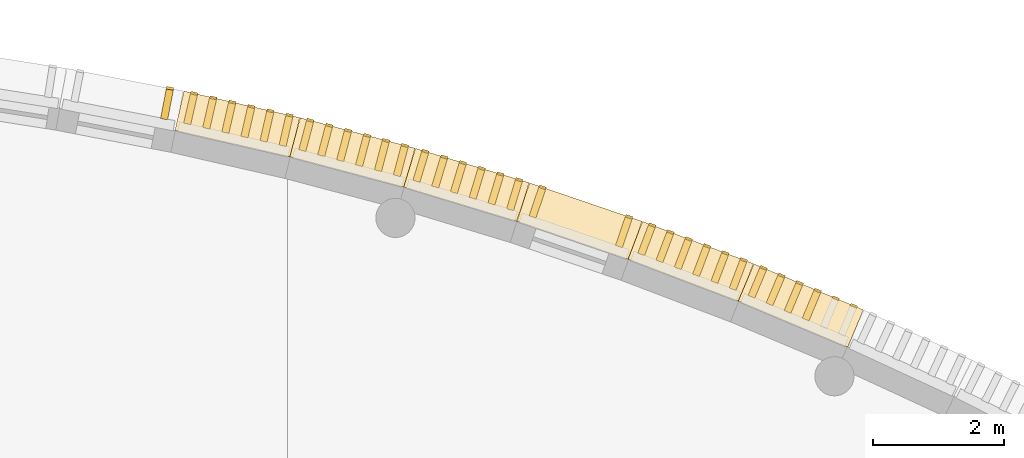
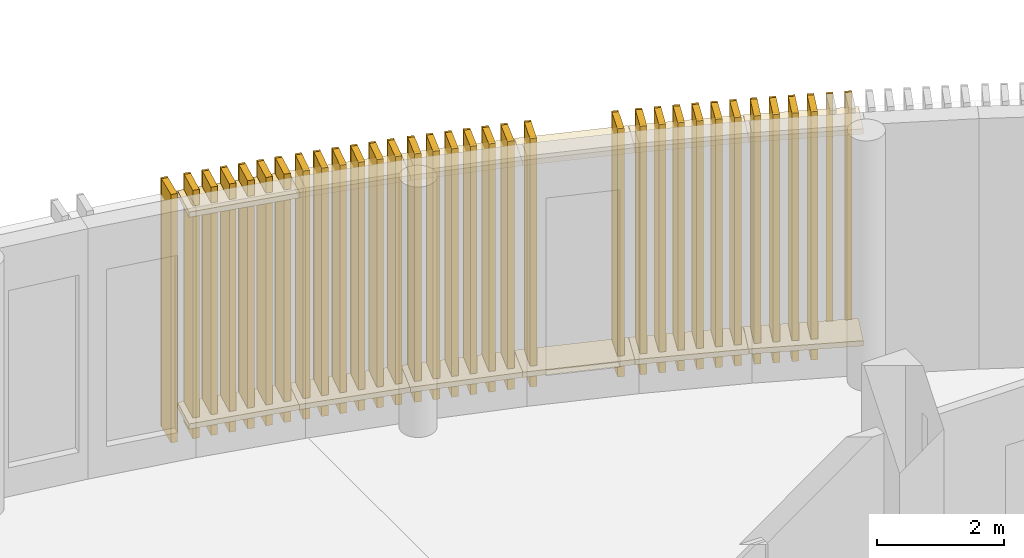
# One storey, part 79 of 82: 45 coverings, 31 shading devices.
"""IFC4 building model written with IfcOpenShell, lengths in metres."""

from ifc_helpers import new_model, si_unit, direction, frame, origin, origin_2d, place, context, subcontext, project, spatial, rectangle, extrude, material, layer, layer_set, type_object, element, save


model = new_model("IFC4")

# Units and contexts
model_context = context("Model", 3, precision=1e-05, world=origin(), true_north=direction((0.0, 1.0)))
body_context = subcontext(model_context, "Body", "Model", "MODEL_VIEW")
ifc_project = project(units=[si_unit("LENGTHUNIT", "METRE"), si_unit("AREAUNIT", "SQUARE_METRE"), si_unit("VOLUMEUNIT", "CUBIC_METRE"), si_unit("PLANEANGLEUNIT", "RADIAN"), si_unit("MASSUNIT", "GRAM", prefix="KILO")], contexts=[model_context])

# Site, building, storey
site_placement = place(None, origin())
site = spatial("IfcSite", under=ifc_project, at=site_placement, CompositionType="ELEMENT")
building_placement = place(site_placement, origin())
building = spatial("IfcBuilding", under=site, at=building_placement, Name="Sardonyx Promenade Sports Hall", CompositionType="ELEMENT")
storey_placement = place(building_placement, frame((0.0, 0.0, 11.199951171875)))
storey = spatial("IfcBuildingStorey", under=building, at=storey_placement, Name="L02", CompositionType="ELEMENT", Elevation=11.199951171875)

# Coverings
ifc_material_1 = material(Name="Glulam GL28h", Category="wood")
ifc_layer = layer(ifc_material_1, 0.110107421875)
ifc_layer_set = layer_set([ifc_layer], Name="Cov_Louvre_GL28h")
covering_type = type_object("IfcCoveringType", Name="Cov_Louvre_GL28h", PredefinedType="MOLDING", material=ifc_layer_set)
covering_placement = place(storey_placement, frame((64.67626953125, 114.89599609375, 0.02001953125), z_axis=(0.0, 0.0, 1.0), x_axis=(0.981929658139, -0.18924625879, 0.0)))
element("IfcCovering", 1, at=covering_placement, inside=storey, type_object=covering_type, Name="Timber louvre nose molding L02 CH20 #2", PredefinedType="MOLDING", context=body_context, shape_type="SweptSolid", body=[
    extrude(rectangle(XDim=0.110107421875, YDim=0.0400390625, at=origin_2d()), origin(), (0.0, 0.0, 1.0), 4.760009765625),
])
for number, where, z_axis, x_axis, name in (
    (2, (65.70751953125, 114.349365234375, 0.320068359375), (0.0, 0.0, 1.0), (0.974791577465, -0.223117414163, 0.0), "Bowed louvre carrier rail L02 CH21 #1"),
    (3, (65.70751953125, 114.349365234375, 4.3798828125), (0.0, 0.0, 1.0), (0.974791577465, -0.223117414163, 0.0), "Bowed louvre carrier rail L02 CH21 #2"),
):
    element("IfcCovering", number, at=place(storey_placement, frame(where, z_axis=z_axis, x_axis=x_axis)), inside=storey, type_object=covering_type, Name=name, PredefinedType="MOLDING", context=body_context, shape_type="SweptSolid", body=[
        extrude(rectangle(XDim=1.820068359375, YDim=0.6201171875, at=origin_2d()), origin(), (0.0, 0.0, 1.0), 0.10009765625),
    ])
for number, where, z_axis, x_axis, name in (
    (4, (65.04541015625, 114.819091796875, 0.02001953125), (0.0, 0.0, 1.0), (0.974791577465, -0.223117414163, 0.0), "Timber louvre nose molding L02 CH21 #1"),
    (5, (65.337890625, 114.751953125, 0.02001953125), (0.0, 0.0, 1.0), (0.974791577465, -0.223117414163, 0.0), "Timber louvre nose molding L02 CH21 #2"),
    (6, (65.63037109375, 114.68505859375, 0.02001953125), (0.0, 0.0, 1.0), (0.974791577465, -0.223117414163, 0.0), "Timber louvre nose molding L02 CH21 #3"),
    (7, (65.9228515625, 114.6181640625, 0.02001953125), (0.0, 0.0, 1.0), (0.974791577465, -0.223117414163, 0.0), "Timber louvre nose molding L02 CH21 #4"),
    (8, (66.21533203125, 114.55126953125, 0.02001953125), (0.0, 0.0, 1.0), (0.974791577465, -0.223117414163, 0.0), "Timber louvre nose molding L02 CH21 #5"),
    (9, (66.5078125, 114.484375, 0.02001953125), (0.0, 0.0, 1.0), (0.974791577465, -0.223117414163, 0.0), "Timber louvre nose molding L02 CH21 #6"),
):
    element("IfcCovering", number, at=place(storey_placement, frame(where, z_axis=z_axis, x_axis=x_axis)), inside=storey, type_object=covering_type, Name=name, PredefinedType="MOLDING", context=body_context, shape_type="SweptSolid", body=[
        extrude(rectangle(XDim=0.110107421875, YDim=0.0400390625, at=origin_2d()), origin(), (0.0, 0.0, 1.0), 4.760009765625),
    ])
for number, where, z_axis, x_axis, name in (
    (10, (67.470703125, 113.91357421875, 0.320068359375), (0.0, 0.0, 1.0), (0.966485494347, -0.256721228607, 0.0), "Bowed louvre carrier rail L02 CH22 #1"),
    (11, (67.470703125, 113.91357421875, 4.3798828125), (0.0, 0.0, 1.0), (0.966485494347, -0.256721228607, 0.0), "Bowed louvre carrier rail L02 CH22 #2"),
):
    element("IfcCovering", number, at=place(storey_placement, frame(where, z_axis=z_axis, x_axis=x_axis)), inside=storey, type_object=covering_type, Name=name, PredefinedType="MOLDING", context=body_context, shape_type="SweptSolid", body=[
        extrude(rectangle(XDim=1.820068359375, YDim=0.6201171875, at=origin_2d()), origin(), (0.0, 0.0, 1.0), 0.10009765625),
    ])
for number, where, z_axis, x_axis, name in (
    (12, (66.825439453125, 114.40576171875, 0.02001953125), (0.0, 0.0, 1.0), (0.966485494347, -0.256721228607, 0.0), "Timber louvre nose molding L02 CH22 #1"),
    (13, (67.115478515625, 114.328857421875, 0.02001953125), (0.0, 0.0, 1.0), (0.966485494347, -0.256721228607, 0.0), "Timber louvre nose molding L02 CH22 #2"),
    (14, (67.4052734375, 114.251708984375, 0.02001953125), (0.0, 0.0, 1.0), (0.966485494347, -0.256721228607, 0.0), "Timber louvre nose molding L02 CH22 #3"),
    (15, (67.6953125, 114.1748046875, 0.02001953125), (0.0, 0.0, 1.0), (0.966485494347, -0.256721228607, 0.0), "Timber louvre nose molding L02 CH22 #4"),
    (16, (67.9853515625, 114.09765625, 0.02001953125), (0.0, 0.0, 1.0), (0.966485494347, -0.256721228607, 0.0), "Timber louvre nose molding L02 CH22 #5"),
    (17, (68.275146484375, 114.020751953125, 0.02001953125), (0.0, 0.0, 1.0), (0.966485494347, -0.256721228607, 0.0), "Timber louvre nose molding L02 CH22 #6"),
):
    element("IfcCovering", number, at=place(storey_placement, frame(where, z_axis=z_axis, x_axis=x_axis)), inside=storey, type_object=covering_type, Name=name, PredefinedType="MOLDING", context=body_context, shape_type="SweptSolid", body=[
        extrude(rectangle(XDim=0.110107421875, YDim=0.0400390625, at=origin_2d()), origin(), (0.0, 0.0, 1.0), 4.760009765625),
    ])
for number, where, z_axis, x_axis, name in (
    (18, (69.2177734375, 113.4169921875, 0.320068359375), (0.0, 0.0, 1.0), (0.957021361193, -0.290017437786, 0.0), "Bowed louvre carrier rail L02 CH23 #1"),
    (19, (69.2177734375, 113.4169921875, 4.3798828125), (0.0, 0.0, 1.0), (0.957021361193, -0.290017437786, 0.0), "Bowed louvre carrier rail L02 CH23 #2"),
):
    element("IfcCovering", number, at=place(storey_placement, frame(where, z_axis=z_axis, x_axis=x_axis)), inside=storey, type_object=covering_type, Name=name, PredefinedType="MOLDING", context=body_context, shape_type="SweptSolid", body=[
        extrude(rectangle(XDim=1.820068359375, YDim=0.6201171875, at=origin_2d()), origin(), (0.0, 0.0, 1.0), 0.10009765625),
    ])
for number, where, z_axis, x_axis, name in (
    (20, (68.590087890625, 113.93115234375, 0.02001953125), (0.0, 0.0, 1.0), (0.957021361193, -0.290017437786, 0.0), "Timber louvre nose molding L02 CH23 #1"),
    (21, (68.877197265625, 113.84423828125, 0.02001953125), (0.0, 0.0, 1.0), (0.957021361193, -0.290017437786, 0.0), "Timber louvre nose molding L02 CH23 #2"),
    (22, (69.164306640625, 113.757080078125, 0.02001953125), (0.0, 0.0, 1.0), (0.957021361193, -0.290017437786, 0.0), "Timber louvre nose molding L02 CH23 #3"),
    (23, (69.451416015625, 113.670166015625, 0.02001953125), (0.0, 0.0, 1.0), (0.957021361193, -0.290017437786, 0.0), "Timber louvre nose molding L02 CH23 #4"),
    (24, (69.738525390625, 113.583251953125, 0.02001953125), (0.0, 0.0, 1.0), (0.957021361193, -0.290017437786, 0.0), "Timber louvre nose molding L02 CH23 #5"),
    (25, (70.025634765625, 113.49609375, 0.02001953125), (0.0, 0.0, 1.0), (0.957021361193, -0.290017437786, 0.0), "Timber louvre nose molding L02 CH23 #6"),
):
    element("IfcCovering", number, at=place(storey_placement, frame(where, z_axis=z_axis, x_axis=x_axis)), inside=storey, type_object=covering_type, Name=name, PredefinedType="MOLDING", context=body_context, shape_type="SweptSolid", body=[
        extrude(rectangle(XDim=0.110107421875, YDim=0.0400390625, at=origin_2d()), origin(), (0.0, 0.0, 1.0), 4.760009765625),
    ])
for number, where, z_axis, x_axis, name in (
    (26, (70.94677734375, 112.8603515625, 0.320068359375), (0.0, 0.0, 1.0), (0.946410517999, -0.322966145935, 0.0), "Bowed louvre carrier rail L02 CH24 #1"),
    (27, (70.94677734375, 112.8603515625, 4.3798828125), (0.0, 0.0, 1.0), (0.946410517999, -0.322966145935, 0.0), "Bowed louvre carrier rail L02 CH24 #2"),
):
    element("IfcCovering", number, at=place(storey_placement, frame(where, z_axis=z_axis, x_axis=x_axis)), inside=storey, type_object=covering_type, Name=name, PredefinedType="MOLDING", context=body_context, shape_type="SweptSolid", body=[
        extrude(rectangle(XDim=1.820068359375, YDim=0.6201171875, at=origin_2d()), origin(), (0.0, 0.0, 1.0), 0.10009765625),
    ])
for number, where, z_axis, x_axis, name in (
    (28, (70.384521484375, 113.379638671875, 0.02001953125), (0.0, 0.0, 1.0), (0.946410517999, -0.322966145935, 0.0), "Timber louvre nose molding L02 CH24 #1"),
    (29, (71.70947265625, 112.927490234375, 0.02001953125), (0.0, 0.0, 1.0), (0.946410517999, -0.322966145935, 0.0), "Timber louvre nose molding L02 CH24 #2"),
):
    element("IfcCovering", number, at=place(storey_placement, frame(where, z_axis=z_axis, x_axis=x_axis)), inside=storey, type_object=covering_type, Name=name, PredefinedType="MOLDING", context=body_context, shape_type="SweptSolid", body=[
        extrude(rectangle(XDim=0.110107421875, YDim=0.0400390625, at=origin_2d()), origin(), (0.0, 0.0, 1.0), 4.760009765625),
    ])
for number, where, z_axis, x_axis, name in (
    (30, (72.6552734375, 112.243896484375, 0.320068359375), (0.0, 0.0, 1.0), (0.934665678755, -0.355527873671, 0.0), "Bowed louvre carrier rail L02 CH25 #1"),
    (31, (72.6552734375, 112.243896484375, 4.3798828125), (0.0, 0.0, 1.0), (0.934665678755, -0.355527873671, 0.0), "Bowed louvre carrier rail L02 CH25 #2"),
):
    element("IfcCovering", number, at=place(storey_placement, frame(where, z_axis=z_axis, x_axis=x_axis)), inside=storey, type_object=covering_type, Name=name, PredefinedType="MOLDING", context=body_context, shape_type="SweptSolid", body=[
        extrude(rectangle(XDim=1.820068359375, YDim=0.6201171875, at=origin_2d()), origin(), (0.0, 0.0, 1.0), 0.10009765625),
    ])
for number, where, z_axis, x_axis, name in (
    (32, (72.064697265625, 112.80029296875, 0.02001953125), (0.0, 0.0, 1.0), (0.934665678755, -0.355527873671, 0.0), "Timber louvre nose molding L02 CH25 #1"),
    (33, (72.344970703125, 112.693603515625, 0.02001953125), (0.0, 0.0, 1.0), (0.934665678755, -0.355527873671, 0.0), "Timber louvre nose molding L02 CH25 #2"),
    (34, (72.62548828125, 112.5869140625, 0.02001953125), (0.0, 0.0, 1.0), (0.934665678755, -0.355527873671, 0.0), "Timber louvre nose molding L02 CH25 #3"),
    (35, (72.90576171875, 112.48046875, 0.02001953125), (0.0, 0.0, 1.0), (0.934665678755, -0.355527873671, 0.0), "Timber louvre nose molding L02 CH25 #4"),
    (36, (73.186279296875, 112.373779296875, 0.02001953125), (0.0, 0.0, 1.0), (0.934665678755, -0.355527873671, 0.0), "Timber louvre nose molding L02 CH25 #5"),
    (37, (73.466552734375, 112.26708984375, 0.02001953125), (0.0, 0.0, 1.0), (0.934665678755, -0.355527873671, 0.0), "Timber louvre nose molding L02 CH25 #6"),
):
    element("IfcCovering", number, at=place(storey_placement, frame(where, z_axis=z_axis, x_axis=x_axis)), inside=storey, type_object=covering_type, Name=name, PredefinedType="MOLDING", context=body_context, shape_type="SweptSolid", body=[
        extrude(rectangle(XDim=0.110107421875, YDim=0.0400390625, at=origin_2d()), origin(), (0.0, 0.0, 1.0), 4.760009765625),
    ])
for number, where, z_axis, x_axis, name in (
    (38, (74.341552734375, 111.56884765625, 0.320068359375), (0.0, 0.0, 1.0), (0.921800239612, -0.387665214136, 0.0), "Bowed louvre carrier rail L02 CH26 #1"),
    (39, (74.341552734375, 111.56884765625, 4.3798828125), (0.0, 0.0, 1.0), (0.921800239612, -0.387665214136, 0.0), "Bowed louvre carrier rail L02 CH26 #2"),
):
    element("IfcCovering", number, at=place(storey_placement, frame(where, z_axis=z_axis, x_axis=x_axis)), inside=storey, type_object=covering_type, Name=name, PredefinedType="MOLDING", context=body_context, shape_type="SweptSolid", body=[
        extrude(rectangle(XDim=1.820068359375, YDim=0.6201171875, at=origin_2d()), origin(), (0.0, 0.0, 1.0), 0.10009765625),
    ])
for number, where, z_axis, x_axis, name in (
    (40, (73.7705078125, 112.1455078125, 0.02001953125), (0.0, 0.0, 1.0), (0.921800239612, -0.387665214136, 0.0), "Timber louvre nose molding L02 CH26 #1"),
    (41, (74.046875, 112.029052734375, 0.02001953125), (0.0, 0.0, 1.0), (0.921800239612, -0.387665214136, 0.0), "Timber louvre nose molding L02 CH26 #2"),
    (42, (74.323486328125, 111.912841796875, 0.02001953125), (0.0, 0.0, 1.0), (0.921800239612, -0.387665214136, 0.0), "Timber louvre nose molding L02 CH26 #3"),
    (43, (74.60009765625, 111.796630859375, 0.02001953125), (0.0, 0.0, 1.0), (0.921800239612, -0.387665214136, 0.0), "Timber louvre nose molding L02 CH26 #4"),
    (44, (74.876708984375, 111.68017578125, 0.02001953125), (0.0, 0.0, 1.0), (0.921800239612, -0.387665214136, 0.0), "Timber louvre nose molding L02 CH26 #5"),
    (45, (75.153076171875, 111.56396484375, 0.02001953125), (0.0, 0.0, 1.0), (0.921800239612, -0.387665214136, 0.0), "Timber louvre nose molding L02 CH26 #6"),
):
    element("IfcCovering", number, at=place(storey_placement, frame(where, z_axis=z_axis, x_axis=x_axis)), inside=storey, type_object=covering_type, Name=name, PredefinedType="MOLDING", context=body_context, shape_type="SweptSolid", body=[
        extrude(rectangle(XDim=0.110107421875, YDim=0.0400390625, at=origin_2d()), origin(), (0.0, 0.0, 1.0), 4.760009765625),
    ])

# Shading devices
ifc_material_2 = material(Name="Glulam GL28h", Category="wood")
shading_device_type_1 = type_object("IfcShadingDeviceType", Name="Shade_Fin_GL28h", PredefinedType="USERDEFINED", material=ifc_material_2)
for number, where, z_axis, x_axis, name in (
    (46, (64.628857, 114.650467, 0.020049), (0.0, 0.0, 1.0), (0.98192966, -0.18924626, 0.0), "Timber fin TF01 L02 CH20 #2"),
    (47, (70.303671, 113.143102, 0.020049), (0.0, 0.0, 1.0), (0.94641052, -0.32296615, 0.0), "Timber fin TF01 L02 CH24 #1"),
    (48, (71.628646, 112.690949, 0.020049), (0.0, 0.0, 1.0), (0.94641052, -0.32296615, 0.0), "Timber fin TF01 L02 CH24 #2"),
):
    element("IfcShadingDevice", number, at=place(storey_placement, frame(where, z_axis=z_axis, x_axis=x_axis)), inside=storey, type_object=shading_device_type_1, material=ifc_material_2, Name=name, ObjectType="FIN", PredefinedType="USERDEFINED", context=body_context, shape_type="SweptSolid", body=[
        extrude(rectangle(XDim=0.11, YDim=0.46), origin(), (0.0, 0.0, 1.0), 4.76),
    ])
shading_device_type_2 = type_object("IfcShadingDeviceType", Name="Shade_Louvre_GL28h", PredefinedType="USERDEFINED", material=ifc_material_2)
for number, where, z_axis, x_axis, name in (
    (49, (64.989752, 114.575296, 0.020049), (0.0, 0.0, 1.0), (0.97479158, -0.22311741, 0.0), "Timber louvre TL01 L02 CH21 #1"),
    (50, (65.28219, 114.508361, 0.020049), (0.0, 0.0, 1.0), (0.97479158, -0.22311741, 0.0), "Timber louvre TL01 L02 CH21 #2"),
    (51, (65.574627, 114.441426, 0.020049), (0.0, 0.0, 1.0), (0.97479158, -0.22311741, 0.0), "Timber louvre TL01 L02 CH21 #3"),
    (52, (65.867064, 114.37449, 0.020049), (0.0, 0.0, 1.0), (0.97479158, -0.22311741, 0.0), "Timber louvre TL01 L02 CH21 #4"),
    (53, (66.159502, 114.307555, 0.020049), (0.0, 0.0, 1.0), (0.97479158, -0.22311741, 0.0), "Timber louvre TL01 L02 CH21 #5"),
    (54, (66.451939, 114.24062, 0.020049), (0.0, 0.0, 1.0), (0.97479158, -0.22311741, 0.0), "Timber louvre TL01 L02 CH21 #6"),
    (55, (66.761277, 114.164159, 0.020049), (0.0, 0.0, 1.0), (0.96648549, -0.25672123, 0.0), "Timber louvre TL01 L02 CH22 #1"),
    (56, (67.051223, 114.087142, 0.020049), (0.0, 0.0, 1.0), (0.96648549, -0.25672123, 0.0), "Timber louvre TL01 L02 CH22 #2"),
    (57, (67.341169, 114.010126, 0.020049), (0.0, 0.0, 1.0), (0.96648549, -0.25672123, 0.0), "Timber louvre TL01 L02 CH22 #3"),
    (58, (67.631114, 113.933109, 0.020049), (0.0, 0.0, 1.0), (0.96648549, -0.25672123, 0.0), "Timber louvre TL01 L02 CH22 #4"),
    (59, (67.92106, 113.856093, 0.020049), (0.0, 0.0, 1.0), (0.96648549, -0.25672123, 0.0), "Timber louvre TL01 L02 CH22 #5"),
    (60, (68.211006, 113.779076, 0.020049), (0.0, 0.0, 1.0), (0.96648549, -0.25672123, 0.0), "Timber louvre TL01 L02 CH22 #6"),
    (61, (68.517512, 113.691955, 0.020049), (0.0, 0.0, 1.0), (0.95702136, -0.29001744, 0.0), "Timber louvre TL01 L02 CH23 #1"),
    (62, (68.804618, 113.604949, 0.020049), (0.0, 0.0, 1.0), (0.95702136, -0.29001744, 0.0), "Timber louvre TL01 L02 CH23 #2"),
    (63, (69.091725, 113.517944, 0.020049), (0.0, 0.0, 1.0), (0.95702136, -0.29001744, 0.0), "Timber louvre TL01 L02 CH23 #3"),
    (64, (69.378831, 113.430939, 0.020049), (0.0, 0.0, 1.0), (0.95702136, -0.29001744, 0.0), "Timber louvre TL01 L02 CH23 #4"),
    (65, (69.665937, 113.343933, 0.020049), (0.0, 0.0, 1.0), (0.95702136, -0.29001744, 0.0), "Timber louvre TL01 L02 CH23 #5"),
    (66, (69.953044, 113.256928, 0.020049), (0.0, 0.0, 1.0), (0.95702136, -0.29001744, 0.0), "Timber louvre TL01 L02 CH23 #6"),
    (67, (71.97571, 112.566684, 0.020049), (0.0, 0.0, 1.0), (0.93466568, -0.35552787, 0.0), "Timber louvre TL01 L02 CH25 #1"),
    (68, (72.25611, 112.460026, 0.020049), (0.0, 0.0, 1.0), (0.93466568, -0.35552787, 0.0), "Timber louvre TL01 L02 CH25 #2"),
    (69, (72.536509, 112.353367, 0.020049), (0.0, 0.0, 1.0), (0.93466568, -0.35552787, 0.0), "Timber louvre TL01 L02 CH25 #3"),
    (70, (72.816909, 112.246709, 0.020049), (0.0, 0.0, 1.0), (0.93466568, -0.35552787, 0.0), "Timber louvre TL01 L02 CH25 #4"),
    (71, (73.097309, 112.14005, 0.020049), (0.0, 0.0, 1.0), (0.93466568, -0.35552787, 0.0), "Timber louvre TL01 L02 CH25 #5"),
    (72, (73.377708, 112.033392, 0.020049), (0.0, 0.0, 1.0), (0.93466568, -0.35552787, 0.0), "Timber louvre TL01 L02 CH25 #6"),
    (73, (73.673532, 111.914965, 0.020049), (0.0, 0.0, 1.0), (0.92180024, -0.38766521, 0.0), "Timber louvre TL01 L02 CH26 #1"),
    (74, (73.950072, 111.798666, 0.020049), (0.0, 0.0, 1.0), (0.92180024, -0.38766521, 0.0), "Timber louvre TL01 L02 CH26 #2"),
    (75, (74.226612, 111.682367, 0.020049), (0.0, 0.0, 1.0), (0.92180024, -0.38766521, 0.0), "Timber louvre TL01 L02 CH26 #3"),
    (76, (74.503152, 111.566067, 0.020049), (0.0, 0.0, 1.0), (0.92180024, -0.38766521, 0.0), "Timber louvre TL01 L02 CH26 #4"),
):
    element("IfcShadingDevice", number, at=place(storey_placement, frame(where, z_axis=z_axis, x_axis=x_axis)), inside=storey, type_object=shading_device_type_2, material=ifc_material_2, Name=name, ObjectType="LOUVRE", PredefinedType="USERDEFINED", context=body_context, shape_type="SweptSolid", body=[
        extrude(rectangle(XDim=0.11, YDim=0.46), origin(), (0.0, 0.0, 1.0), 4.76),
    ])

save(model, "model.ifc")
